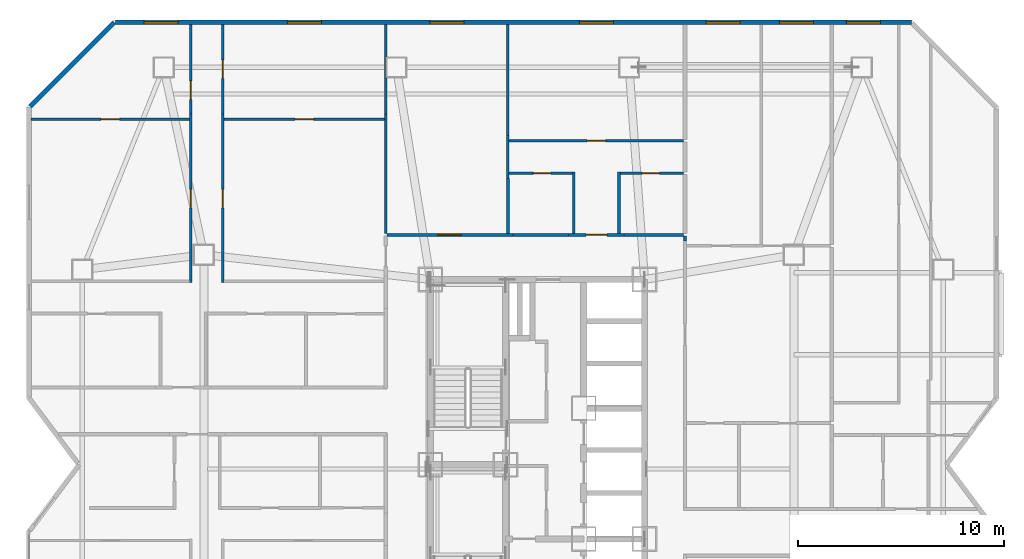
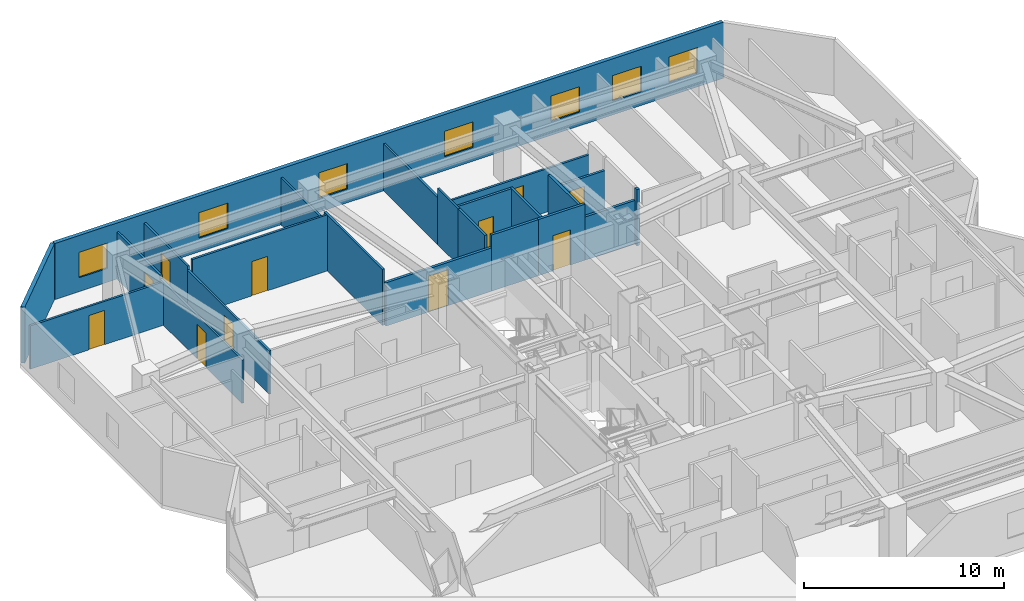
# One storey, part 15 of 17: 23 walls, 11 doors, 7 windows, 18 openings.
"""IFC4 building model written with IfcOpenShell, lengths in metres."""

from ifc_helpers import new_model, si_unit, direction, frame, frame_2d, origin, place, context, subcontext, project, spatial, rectangle, extrude, material, layer, layer_set, type_object, element, fill, save


model = new_model("IFC4")

# Units and contexts
model_context = context("Model", 3, precision=1e-05, world=origin(), true_north=direction((0.0, 1.0)))
body_context = subcontext(model_context, "Body", "Model", "MODEL_VIEW")
ifc_project = project(units=[si_unit("LENGTHUNIT", "METRE"), si_unit("AREAUNIT", "SQUARE_METRE"), si_unit("VOLUMEUNIT", "CUBIC_METRE"), si_unit("PLANEANGLEUNIT", "RADIAN"), si_unit("MASSUNIT", "GRAM", prefix="KILO")], contexts=[model_context])

# Site, building, storey
site_placement = place(None, origin())
site = spatial("IfcSite", under=ifc_project, at=site_placement, CompositionType="ELEMENT")
building_placement = place(site_placement, origin())
building = spatial("IfcBuilding", under=site, at=building_placement, Name="Khamvora Tower", CompositionType="ELEMENT")
storey_placement = place(building_placement, frame((0.0, 0.0, 131.10009765625)))
storey = spatial("IfcBuildingStorey", under=building, at=storey_placement, Name="L33", CompositionType="ELEMENT", Elevation=131.10009765625)

# Wall, opening, door
ifc_material_1 = material(Name="Fire-Rated Drywall and Steel Stud", Category="steel")
ifc_layer_1 = layer(ifc_material_1, 0.14990234375)
ifc_layer_set_1 = layer_set([ifc_layer_1], Name="Fire-Rated Drywall and Steel Stud")
wall_type_1 = type_object("IfcWallType", Name="WAL-CORR-150", PredefinedType="STANDARD", material=ifc_layer_set_1)
wall_1_placement = place(storey_placement, frame((26.89990234375, 39.1650390625, 0.0), z_axis=(0.0, 0.0, 1.0), x_axis=(1.0, 0.0, 0.0)))
wall_1 = element("IfcWall", 1, at=wall_1_placement, inside=storey, type_object=wall_type_1, Name="L33 interior partition wall 006", PredefinedType="STANDARD", context=body_context, shape_type="SweptSolid", body=[
    extrude(rectangle(XDim=6.114013671875, YDim=0.14990234375, at=frame_2d((3.05712890625, 0.0))), origin(), (0.0, 0.0, 1.0), 2.64697265625),
])
opening_1_placement = place(wall_1_placement, frame((2.4609375, 0.0, 0.0)))
opening_1 = element("IfcOpeningElement", 2, at=opening_1_placement, cuts=wall_1, Name="Opening D-SC1", PredefinedType="OPENING", context=body_context, shape_type="SweptSolid", body=[
    extrude(rectangle(XDim=1.14990234375, YDim=2.199951171875, at=frame_2d((0.574951171875, 1.10009765625))), frame((0.0, 0.0849609375, 0.0), z_axis=(0.0, -1.0, 0.0), x_axis=(1.0, 0.0, 0.0)), (0.0, 0.0, 1.0), 0.169921875),
])
ifc_material_2 = material(Name="Powder-Coated Steel and Hardwood Leaf", Category="steel")
door_type_1 = type_object("IfcDoorType", Name="DOR-SCHL-1150", OperationType="NOTDEFINED", PredefinedType="DOOR", material=ifc_material_2)
door_1_placement = place(opening_1_placement, origin())
door_1 = element("IfcDoor", 3, at=door_1_placement, inside=storey, type_object=door_type_1, Name="L33 interior door COR-FSTD", OperationType="SINGLE_SWING_RIGHT", OverallHeight=2.199951171875, OverallWidth=1.14990234375, PredefinedType="DOOR", context=body_context, shape_type="SweptSolid", body=[
    extrude(rectangle(XDim=1.14990234375, YDim=2.199951171875, at=frame_2d((0.574951171875, 1.10009765625))), frame((0.0, 0.02490234375, 0.0), z_axis=(0.0, -1.0, 0.0), x_axis=(1.0, 0.0, 0.0)), (0.0, 0.0, 1.0), 0.050048828125),
])
fill(opening_1, door_1)

wall_2_placement = place(storey_placement, frame((35.716064453125, 39.1650390625, 0.0), z_axis=(0.0, 0.0, 1.0), x_axis=(1.0, 0.0, 0.0)))
wall_2 = element("IfcWall", 4, at=wall_2_placement, inside=storey, type_object=wall_type_1, Name="L33 interior partition wall 025", PredefinedType="STANDARD", context=body_context, shape_type="SweptSolid", body=[
    extrude(rectangle(XDim=2.697998046875, YDim=0.14990234375, at=frame_2d((1.34912109375, 0.0))), origin(), (0.0, 0.0, 1.0), 3.429931640625),
])
opening_2_placement = place(wall_2_placement, frame((0.84912109375, 0.0, 0.0)))
opening_2 = element("IfcOpeningElement", 5, at=opening_2_placement, cuts=wall_2, Name="Opening D-U1", PredefinedType="OPENING", context=body_context, shape_type="SweptSolid", body=[
    extrude(rectangle(XDim=1.0, YDim=2.14990234375, at=frame_2d((0.5, 1.074951171875))), frame((0.0, 0.0849609375, 0.0), z_axis=(0.0, -1.0, 0.0), x_axis=(1.0, 0.0, 0.0)), (0.0, 0.0, 1.0), 0.169921875),
])
door_type_2 = type_object("IfcDoorType", Name="DOR-UNIT-1000", OperationType="NOTDEFINED", PredefinedType="DOOR", material=ifc_material_2)
door_2_placement = place(opening_2_placement, origin())
door_2 = element("IfcDoor", 6, at=door_2_placement, inside=storey, type_object=door_type_2, Name="L33 interior door COR-33NAH", OperationType="SINGLE_SWING_LEFT", OverallHeight=2.14990234375, OverallWidth=1.0, PredefinedType="DOOR", context=body_context, shape_type="SweptSolid", body=[
    extrude(rectangle(XDim=1.0, YDim=2.14990234375, at=frame_2d((0.5, 1.074951171875))), frame((0.0, 0.02490234375, 0.0), z_axis=(0.0, -1.0, 0.0), x_axis=(1.0, 0.0, 0.0)), (0.0, 0.0, 1.0), 0.050048828125),
])
fill(opening_2, door_2)

# Walls
wall_3_placement = place(storey_placement, frame((33.013916015625, 39.1650390625, 0.0), z_axis=(0.0, 0.0, 1.0), x_axis=(1.0, 0.0, 0.0)))
element("IfcWall", 7, at=wall_3_placement, inside=storey, type_object=wall_type_1, Name="L33 interior partition wall 026", PredefinedType="STANDARD", context=body_context, shape_type="SweptSolid", body=[
    extrude(rectangle(XDim=2.7021484375, YDim=0.14990234375, at=frame_2d((1.35107421875, 0.0))), origin(), (0.0, 0.0, 1.0), 3.429931640625),
])
wall_4_placement = place(storey_placement, frame((38.4140625, 39.1650390625, 0.0), z_axis=(0.0, 0.0, 1.0), x_axis=(1.0, 0.0, 0.0)))
element("IfcWall", 8, at=wall_4_placement, inside=storey, type_object=wall_type_1, Name="L33 interior partition wall 027", PredefinedType="STANDARD", context=body_context, shape_type="SweptSolid", body=[
    extrude(rectangle(XDim=2.885986328125, YDim=0.14990234375, at=frame_2d((1.44287109375, 0.0))), origin(), (0.0, 0.0, 1.0), 2.64697265625),
])
wall_5_placement = place(storey_placement, frame((41.364990234375, 39.10009765625, 0.0), z_axis=(0.0, 0.0, 1.0), x_axis=(0.0, -1.0, 0.0)))
element("IfcWall", 9, at=wall_5_placement, inside=storey, type_object=wall_type_1, Name="L33 interior partition wall 038", PredefinedType="STANDARD", context=body_context, shape_type="SweptSolid", body=[
    extrude(rectangle(XDim=0.22119140625, YDim=0.14990234375, at=frame_2d((0.110595703125, 0.0))), origin(), (0.0, 0.0, 1.0), 3.429931640625),
])
ifc_material_3 = material(Name="Precast concrete C40/50", Category="concrete")
ifc_layer_2 = layer(ifc_material_3, 0.219970703125)
ifc_layer_set_2 = layer_set([ifc_layer_2], Name="Precast concrete C40/50")
wall_type_2 = type_object("IfcWallType", Name="WAL-EXT-220", PredefinedType="STANDARD", material=ifc_layer_set_2)
wall_6_placement = place(storey_placement, frame((9.55810546875, 45.402099609375, 0.0), z_axis=(0.0, 0.0, 1.0), x_axis=(0.707106781187, 0.707106781187, 0.0)))
element("IfcWall", 10, at=wall_6_placement, inside=storey, type_object=wall_type_2, Name="L33 exterior facade wall 06.1", PredefinedType="STANDARD", context=body_context, shape_type="SweptSolid", body=[
    extrude(rectangle(XDim=5.78125, YDim=0.219970703125, at=frame_2d((2.890625, 0.0))), origin(), (0.0, 0.0, 1.0), 3.429931640625),
])

# Wall, openings, windows
wall_7_placement = place(storey_placement, frame((13.715087890625, 49.489990234375, 0.0), z_axis=(0.0, 0.0, 1.0), x_axis=(1.0, 0.0, 0.0)))
wall_7 = element("IfcWall", 11, at=wall_7_placement, inside=storey, type_object=wall_type_2, Name="L33 exterior facade wall 07.1", PredefinedType="STANDARD", context=body_context, shape_type="SweptSolid", body=[
    extrude(rectangle(XDim=38.638916015625, YDim=0.219970703125, at=frame_2d((19.3193359375, 0.0))), origin(), (0.0, 0.0, 1.0), 3.429931640625),
])
opening_3_placement = place(wall_7_placement, frame((15.260009765625, 0.0, 0.85009765625)))
opening_3 = element("IfcOpeningElement", 12, at=opening_3_placement, cuts=wall_7, Name="Opening WN-06", PredefinedType="OPENING", context=body_context, shape_type="SweptSolid", body=[
    extrude(rectangle(XDim=1.64990234375, YDim=1.550048828125, at=frame_2d((0.824951171875, 0.77490234375))), frame((0.0, 0.119873046875, 0.0), z_axis=(0.0, -1.0, 0.0), x_axis=(1.0, 0.0, 0.0)), (0.0, 0.0, 1.0), 0.239990234375),
])
opening_4_placement = place(wall_7_placement, frame((1.387939453125, 0.0, 0.85009765625)))
opening_4 = element("IfcOpeningElement", 13, at=opening_4_placement, cuts=wall_7, Name="Opening WN-06", PredefinedType="OPENING", context=body_context, shape_type="SweptSolid", body=[
    extrude(rectangle(XDim=1.64990234375, YDim=1.550048828125, at=frame_2d((0.824951171875, 0.77490234375))), frame((0.0, 0.119873046875, 0.0), z_axis=(0.0, -1.0, 0.0), x_axis=(1.0, 0.0, 0.0)), (0.0, 0.0, 1.0), 0.239990234375),
])
opening_5_placement = place(wall_7_placement, frame((8.340087890625, 0.0, 0.85009765625)))
opening_5 = element("IfcOpeningElement", 14, at=opening_5_placement, cuts=wall_7, Name="Opening WN-06", PredefinedType="OPENING", context=body_context, shape_type="SweptSolid", body=[
    extrude(rectangle(XDim=1.64990234375, YDim=1.550048828125, at=frame_2d((0.824951171875, 0.77490234375))), frame((0.0, 0.119873046875, 0.0), z_axis=(0.0, -1.0, 0.0), x_axis=(1.0, 0.0, 0.0)), (0.0, 0.0, 1.0), 0.239990234375),
])
opening_6_placement = place(wall_7_placement, frame((22.52490234375, 0.0, 0.85009765625)))
opening_6 = element("IfcOpeningElement", 15, at=opening_6_placement, cuts=wall_7, Name="Opening WN-06", PredefinedType="OPENING", context=body_context, shape_type="SweptSolid", body=[
    extrude(rectangle(XDim=1.64990234375, YDim=1.550048828125, at=frame_2d((0.824951171875, 0.77490234375))), frame((0.0, 0.119873046875, 0.0), z_axis=(0.0, -1.0, 0.0), x_axis=(1.0, 0.0, 0.0)), (0.0, 0.0, 1.0), 0.239990234375),
])
opening_7_placement = place(wall_7_placement, frame((32.239013671875, 0.0, 0.85009765625)))
opening_7 = element("IfcOpeningElement", 16, at=opening_7_placement, cuts=wall_7, Name="Opening WN-06", PredefinedType="OPENING", context=body_context, shape_type="SweptSolid", body=[
    extrude(rectangle(XDim=1.64990234375, YDim=1.550048828125, at=frame_2d((0.824951171875, 0.77490234375))), frame((0.0, 0.119873046875, 0.0), z_axis=(0.0, -1.0, 0.0), x_axis=(1.0, 0.0, 0.0)), (0.0, 0.0, 1.0), 0.239990234375),
])
opening_8_placement = place(wall_7_placement, frame((28.676025390625, 0.0, 0.85009765625)))
opening_8 = element("IfcOpeningElement", 17, at=opening_8_placement, cuts=wall_7, Name="Opening WN-06", PredefinedType="OPENING", context=body_context, shape_type="SweptSolid", body=[
    extrude(rectangle(XDim=1.64990234375, YDim=1.550048828125, at=frame_2d((0.824951171875, 0.77490234375))), frame((0.0, 0.119873046875, 0.0), z_axis=(0.0, -1.0, 0.0), x_axis=(1.0, 0.0, 0.0)), (0.0, 0.0, 1.0), 0.239990234375),
])
opening_9_placement = place(wall_7_placement, frame((35.489013671875, 0.0, 0.85009765625)))
opening_9 = element("IfcOpeningElement", 18, at=opening_9_placement, cuts=wall_7, Name="Opening WN-06", PredefinedType="OPENING", context=body_context, shape_type="SweptSolid", body=[
    extrude(rectangle(XDim=1.64990234375, YDim=1.550048828125, at=frame_2d((0.824951171875, 0.77490234375))), frame((0.0, 0.119873046875, 0.0), z_axis=(0.0, -1.0, 0.0), x_axis=(1.0, 0.0, 0.0)), (0.0, 0.0, 1.0), 0.239990234375),
])
ifc_material_4 = material(Name="Low-E Laminated Double Glazing", Category="glass")
window_type = type_object("IfcWindowType", Name="WIN-VIS-1650x1550", PartitioningType="SINGLE_PANEL", PredefinedType="WINDOW", material=ifc_material_4)
window_1_placement = place(opening_3_placement, origin())
window_1 = element("IfcWindow", 19, at=window_1_placement, inside=storey, type_object=window_type, Name="L33 vision window 07.1.01", OverallHeight=1.550048828125, OverallWidth=1.64990234375, PartitioningType="SINGLE_PANEL", PredefinedType="WINDOW", context=body_context, shape_type="SweptSolid", body=[
    extrude(rectangle(XDim=1.64990234375, YDim=1.550048828125, at=frame_2d((0.824951171875, 0.77490234375))), frame((0.0, 0.030029296875, 0.0), z_axis=(0.0, -1.0, 0.0), x_axis=(1.0, 0.0, 0.0)), (0.0, 0.0, 1.0), 0.06005859375),
])
fill(opening_3, window_1)
window_2_placement = place(opening_4_placement, origin())
window_2 = element("IfcWindow", 20, at=window_2_placement, inside=storey, type_object=window_type, Name="L33 vision window 07.1.02", OverallHeight=1.550048828125, OverallWidth=1.64990234375, PartitioningType="SINGLE_PANEL", PredefinedType="WINDOW", context=body_context, shape_type="SweptSolid", body=[
    extrude(rectangle(XDim=1.64990234375, YDim=1.550048828125, at=frame_2d((0.824951171875, 0.77490234375))), frame((0.0, 0.030029296875, 0.0), z_axis=(0.0, -1.0, 0.0), x_axis=(1.0, 0.0, 0.0)), (0.0, 0.0, 1.0), 0.06005859375),
])
fill(opening_4, window_2)
window_3_placement = place(opening_5_placement, origin())
window_3 = element("IfcWindow", 21, at=window_3_placement, inside=storey, type_object=window_type, Name="L33 vision window 07.1.03", OverallHeight=1.550048828125, OverallWidth=1.64990234375, PartitioningType="SINGLE_PANEL", PredefinedType="WINDOW", context=body_context, shape_type="SweptSolid", body=[
    extrude(rectangle(XDim=1.64990234375, YDim=1.550048828125, at=frame_2d((0.824951171875, 0.77490234375))), frame((0.0, 0.030029296875, 0.0), z_axis=(0.0, -1.0, 0.0), x_axis=(1.0, 0.0, 0.0)), (0.0, 0.0, 1.0), 0.06005859375),
])
fill(opening_5, window_3)
window_4_placement = place(opening_6_placement, origin())
window_4 = element("IfcWindow", 22, at=window_4_placement, inside=storey, type_object=window_type, Name="L33 vision window 07.1.04", OverallHeight=1.550048828125, OverallWidth=1.64990234375, PartitioningType="SINGLE_PANEL", PredefinedType="WINDOW", context=body_context, shape_type="SweptSolid", body=[
    extrude(rectangle(XDim=1.64990234375, YDim=1.550048828125, at=frame_2d((0.824951171875, 0.77490234375))), frame((0.0, 0.030029296875, 0.0), z_axis=(0.0, -1.0, 0.0), x_axis=(1.0, 0.0, 0.0)), (0.0, 0.0, 1.0), 0.06005859375),
])
fill(opening_6, window_4)
window_5_placement = place(opening_7_placement, origin())
window_5 = element("IfcWindow", 23, at=window_5_placement, inside=storey, type_object=window_type, Name="L33 vision window 07.1.05", OverallHeight=1.550048828125, OverallWidth=1.64990234375, PartitioningType="SINGLE_PANEL", PredefinedType="WINDOW", context=body_context, shape_type="SweptSolid", body=[
    extrude(rectangle(XDim=1.64990234375, YDim=1.550048828125, at=frame_2d((0.824951171875, 0.77490234375))), frame((0.0, 0.030029296875, 0.0), z_axis=(0.0, -1.0, 0.0), x_axis=(1.0, 0.0, 0.0)), (0.0, 0.0, 1.0), 0.06005859375),
])
fill(opening_7, window_5)
window_6_placement = place(opening_8_placement, origin())
window_6 = element("IfcWindow", 24, at=window_6_placement, inside=storey, type_object=window_type, Name="L33 vision window 07.1.06", OverallHeight=1.550048828125, OverallWidth=1.64990234375, PartitioningType="SINGLE_PANEL", PredefinedType="WINDOW", context=body_context, shape_type="SweptSolid", body=[
    extrude(rectangle(XDim=1.64990234375, YDim=1.550048828125, at=frame_2d((0.824951171875, 0.77490234375))), frame((0.0, 0.030029296875, 0.0), z_axis=(0.0, -1.0, 0.0), x_axis=(1.0, 0.0, 0.0)), (0.0, 0.0, 1.0), 0.06005859375),
])
fill(opening_8, window_6)
window_7_placement = place(opening_9_placement, origin())
window_7 = element("IfcWindow", 25, at=window_7_placement, inside=storey, type_object=window_type, Name="L33 vision window 07.1.07", OverallHeight=1.550048828125, OverallWidth=1.64990234375, PartitioningType="SINGLE_PANEL", PredefinedType="WINDOW", context=body_context, shape_type="SweptSolid", body=[
    extrude(rectangle(XDim=1.64990234375, YDim=1.550048828125, at=frame_2d((0.824951171875, 0.77490234375))), frame((0.0, 0.030029296875, 0.0), z_axis=(0.0, -1.0, 0.0), x_axis=(1.0, 0.0, 0.0)), (0.0, 0.0, 1.0), 0.06005859375),
])
fill(opening_9, window_7)

# Walls
ifc_material_5 = material(Name="Gypsum Plasterboard Partition", Category="gypsum")
ifc_layer_3 = layer(ifc_material_5, 0.1201171875)
ifc_layer_set_3 = layer_set([ifc_layer_3], Name="Gypsum Plasterboard Partition")
wall_type_3 = type_object("IfcWallType", Name="WAL-PART-120", PredefinedType="PARTITIONING", material=ifc_layer_set_3)
wall_8_placement = place(storey_placement, frame((26.8349609375, 39.22998046875, 0.0), z_axis=(0.0, 0.0, 1.0), x_axis=(0.0, 1.0, 0.0)))
element("IfcWall", 26, at=wall_8_placement, inside=storey, type_object=wall_type_3, Name="L33 interior partition wall 041", PredefinedType="PARTITIONING", context=body_context, shape_type="SweptSolid", body=[
    extrude(rectangle(XDim=5.81005859375, YDim=0.1201171875, at=frame_2d((2.905029296875, 0.0))), origin(), (0.0, 0.0, 1.0), 3.429931640625),
])
wall_9_placement = place(storey_placement, frame((26.8349609375, 45.0400390625, 0.0), z_axis=(0.0, 0.0, 1.0), x_axis=(0.0, 1.0, 0.0)))
element("IfcWall", 27, at=wall_9_placement, inside=storey, type_object=wall_type_3, Name="L33 interior partition wall 042", PredefinedType="PARTITIONING", context=body_context, shape_type="SweptSolid", body=[
    extrude(rectangle(XDim=4.347900390625, YDim=0.1201171875, at=frame_2d((2.173828125, 0.0))), origin(), (0.0, 0.0, 1.0), 2.8759765625),
])
wall_10_placement = place(storey_placement, frame((32.764892578125, 43.990966796875, 0.0), z_axis=(0.0, 0.0, 1.0), x_axis=(0.0, -1.0, 0.0)))
element("IfcWall", 28, at=wall_10_placement, inside=storey, type_object=wall_type_3, Name="L33 interior partition wall 043", PredefinedType="PARTITIONING", context=body_context, shape_type="SweptSolid", body=[
    extrude(rectangle(XDim=2.077880859375, YDim=0.1201171875, at=frame_2d((1.0390625, 0.0))), origin(), (0.0, 0.0, 1.0), 3.429931640625),
])
wall_11_placement = place(storey_placement, frame((32.764892578125, 49.387939453125, 0.0), z_axis=(0.0, 0.0, 1.0), x_axis=(0.0, -1.0, 0.0)))
element("IfcWall", 29, at=wall_11_placement, inside=storey, type_object=wall_type_3, Name="L33 interior partition wall 045", PredefinedType="PARTITIONING", context=body_context, shape_type="SweptSolid", body=[
    extrude(rectangle(XDim=5.39697265625, YDim=0.1201171875, at=frame_2d((2.698486328125, 0.0))), origin(), (0.0, 0.0, 1.0), 2.8759765625),
])

# Wall, opening, door
wall_12_placement = place(storey_placement, frame((17.35498046875, 36.860107421875, 0.0), z_axis=(0.0, 0.0, 1.0), x_axis=(0.0, 1.0, 0.0)))
wall_12 = element("IfcWall", 30, at=wall_12_placement, inside=storey, type_object=wall_type_3, Name="L33 interior partition wall 075", PredefinedType="PARTITIONING", context=body_context, shape_type="SweptSolid", body=[
    extrude(rectangle(XDim=8.179931640625, YDim=0.1201171875, at=frame_2d((4.08984375, 0.0))), origin(), (0.0, 0.0, 1.0), 2.64697265625),
])
opening_10_placement = place(wall_12_placement, frame((3.618896484375, 0.0, 0.0)))
opening_10 = element("IfcOpeningElement", 31, at=opening_10_placement, cuts=wall_12, Name="Opening D-RM1", PredefinedType="OPENING", context=body_context, shape_type="SweptSolid", body=[
    extrude(rectangle(XDim=0.89990234375, YDim=2.10009765625, at=frame_2d((0.449951171875, 1.050048828125))), frame((0.0, 0.070068359375, 0.0), z_axis=(0.0, -1.0, 0.0), x_axis=(1.0, 0.0, 0.0)), (0.0, 0.0, 1.0), 0.14013671875),
])
door_type_3 = type_object("IfcDoorType", Name="DOR-ROOM-900", OperationType="NOTDEFINED", PredefinedType="DOOR", material=ifc_material_2)
door_3_placement = place(opening_10_placement, origin())
door_3 = element("IfcDoor", 32, at=door_3_placement, inside=storey, type_object=door_type_3, Name="L33 interior door 33WBH-33WBR1", OperationType="SINGLE_SWING_LEFT", OverallHeight=2.10009765625, OverallWidth=0.89990234375, PredefinedType="DOOR", context=body_context, shape_type="SweptSolid", body=[
    extrude(rectangle(XDim=0.89990234375, YDim=2.10009765625, at=frame_2d((0.449951171875, 1.050048828125))), frame((0.0, 0.02490234375, 0.0), z_axis=(0.0, -1.0, 0.0), x_axis=(1.0, 0.0, 0.0)), (0.0, 0.0, 1.0), 0.050048828125),
])
fill(opening_10, door_3)

wall_13_placement = place(storey_placement, frame((17.35498046875, 45.0400390625, 0.0), z_axis=(0.0, 0.0, 1.0), x_axis=(0.0, 1.0, 0.0)))
wall_13 = element("IfcWall", 33, at=wall_13_placement, inside=storey, type_object=wall_type_3, Name="L33 interior partition wall 076", PredefinedType="PARTITIONING", context=body_context, shape_type="SweptSolid", body=[
    extrude(rectangle(XDim=4.347900390625, YDim=0.1201171875, at=frame_2d((2.173828125, 0.0))), origin(), (0.0, 0.0, 1.0), 2.8759765625),
])
opening_11_placement = place(wall_13_placement, frame((0.702880859375, 0.0, 0.0)))
opening_11 = element("IfcOpeningElement", 34, at=opening_11_placement, cuts=wall_13, Name="Opening D-RM1", PredefinedType="OPENING", context=body_context, shape_type="SweptSolid", body=[
    extrude(rectangle(XDim=0.89990234375, YDim=2.10009765625, at=frame_2d((0.449951171875, 1.050048828125))), frame((0.0, 0.070068359375, 0.0), z_axis=(0.0, -1.0, 0.0), x_axis=(1.0, 0.0, 0.0)), (0.0, 0.0, 1.0), 0.14013671875),
])
door_4_placement = place(opening_11_placement, origin())
door_4 = element("IfcDoor", 35, at=door_4_placement, inside=storey, type_object=door_type_3, Name="L33 interior door 33WBH-33WBR2", OperationType="SINGLE_SWING_LEFT", OverallHeight=2.10009765625, OverallWidth=0.89990234375, PredefinedType="DOOR", context=body_context, shape_type="SweptSolid", body=[
    extrude(rectangle(XDim=0.89990234375, YDim=2.10009765625, at=frame_2d((0.449951171875, 1.050048828125))), frame((0.0, 0.02490234375, 0.0), z_axis=(0.0, -1.0, 0.0), x_axis=(1.0, 0.0, 0.0)), (0.0, 0.0, 1.0), 0.050048828125),
])
fill(opening_11, door_4)

wall_14_placement = place(storey_placement, frame((18.925048828125, 45.0400390625, 0.0), z_axis=(0.0, 0.0, 1.0), x_axis=(0.0, -1.0, 0.0)))
wall_14 = element("IfcWall", 36, at=wall_14_placement, inside=storey, type_object=wall_type_3, Name="L33 interior partition wall 077", PredefinedType="PARTITIONING", context=body_context, shape_type="SweptSolid", body=[
    extrude(rectangle(XDim=8.179931640625, YDim=0.1201171875, at=frame_2d((4.08984375, 0.0))), origin(), (0.0, 0.0, 1.0), 2.64697265625),
])
opening_12_placement = place(wall_14_placement, frame((3.660888671875, 0.0, 0.0)))
opening_12 = element("IfcOpeningElement", 37, at=opening_12_placement, cuts=wall_14, Name="Opening D-RM1", PredefinedType="OPENING", context=body_context, shape_type="SweptSolid", body=[
    extrude(rectangle(XDim=0.89990234375, YDim=2.10009765625, at=frame_2d((0.449951171875, 1.050048828125))), frame((0.0, 0.070068359375, 0.0), z_axis=(0.0, -1.0, 0.0), x_axis=(1.0, 0.0, 0.0)), (0.0, 0.0, 1.0), 0.14013671875),
])
door_5_placement = place(opening_12_placement, origin())
door_5 = element("IfcDoor", 38, at=door_5_placement, inside=storey, type_object=door_type_3, Name="L33 interior door 33WBH-33WBR3", OperationType="SINGLE_SWING_RIGHT", OverallHeight=2.10009765625, OverallWidth=0.89990234375, PredefinedType="DOOR", context=body_context, shape_type="SweptSolid", body=[
    extrude(rectangle(XDim=0.89990234375, YDim=2.10009765625, at=frame_2d((0.449951171875, 1.050048828125))), frame((0.0, 0.02490234375, 0.0), z_axis=(0.0, -1.0, 0.0), x_axis=(1.0, 0.0, 0.0)), (0.0, 0.0, 1.0), 0.050048828125),
])
fill(opening_12, door_5)

wall_15_placement = place(storey_placement, frame((18.925048828125, 49.387939453125, 0.0), z_axis=(0.0, 0.0, 1.0), x_axis=(0.0, -1.0, 0.0)))
wall_15 = element("IfcWall", 39, at=wall_15_placement, inside=storey, type_object=wall_type_3, Name="L33 interior partition wall 079", PredefinedType="PARTITIONING", context=body_context, shape_type="SweptSolid", body=[
    extrude(rectangle(XDim=4.347900390625, YDim=0.1201171875, at=frame_2d((2.173828125, 0.0))), origin(), (0.0, 0.0, 1.0), 2.8759765625),
])
opening_13_placement = place(wall_15_placement, frame((1.72412109375, 0.0, 0.0)))
opening_13 = element("IfcOpeningElement", 40, at=opening_13_placement, cuts=wall_15, Name="Opening D-RM1", PredefinedType="OPENING", context=body_context, shape_type="SweptSolid", body=[
    extrude(rectangle(XDim=0.89990234375, YDim=2.10009765625, at=frame_2d((0.449951171875, 1.050048828125))), frame((0.0, 0.070068359375, 0.0), z_axis=(0.0, -1.0, 0.0), x_axis=(1.0, 0.0, 0.0)), (0.0, 0.0, 1.0), 0.14013671875),
])
door_6_placement = place(opening_13_placement, origin())
door_6 = element("IfcDoor", 41, at=door_6_placement, inside=storey, type_object=door_type_3, Name="L33 interior door 33WBH-33WBR4", OperationType="SINGLE_SWING_LEFT", OverallHeight=2.10009765625, OverallWidth=0.89990234375, PredefinedType="DOOR", context=body_context, shape_type="SweptSolid", body=[
    extrude(rectangle(XDim=0.89990234375, YDim=2.10009765625, at=frame_2d((0.449951171875, 1.050048828125))), frame((0.0, 0.02490234375, 0.0), z_axis=(0.0, -1.0, 0.0), x_axis=(1.0, 0.0, 0.0)), (0.0, 0.0, 1.0), 0.050048828125),
])
fill(opening_13, door_6)

wall_16_placement = place(storey_placement, frame((9.612060546875, 44.791015625, 0.0), z_axis=(0.0, 0.0, 1.0), x_axis=(1.0, 0.0, 0.0)))
wall_16 = element("IfcWall", 42, at=wall_16_placement, inside=storey, type_object=wall_type_3, Name="L33 interior partition wall 080", PredefinedType="PARTITIONING", context=body_context, shape_type="SweptSolid", body=[
    extrude(rectangle(XDim=7.68896484375, YDim=0.1201171875, at=frame_2d((3.844482421875, 0.0))), origin(), (0.0, 0.0, 1.0), 2.64697265625),
])
opening_14_placement = place(wall_16_placement, frame((3.39404296875, 0.0, 0.0)))
opening_14 = element("IfcOpeningElement", 43, at=opening_14_placement, cuts=wall_16, Name="Opening D-RM1", PredefinedType="OPENING", context=body_context, shape_type="SweptSolid", body=[
    extrude(rectangle(XDim=0.89990234375, YDim=2.10009765625, at=frame_2d((0.449951171875, 1.050048828125))), frame((0.0, 0.070068359375, 0.0), z_axis=(0.0, -1.0, 0.0), x_axis=(1.0, 0.0, 0.0)), (0.0, 0.0, 1.0), 0.14013671875),
])
door_7_placement = place(opening_14_placement, origin())
door_7 = element("IfcDoor", 44, at=door_7_placement, inside=storey, type_object=door_type_3, Name="L33 interior door 33WBR1-33WBR2", OperationType="SINGLE_SWING_RIGHT", OverallHeight=2.10009765625, OverallWidth=0.89990234375, PredefinedType="DOOR", context=body_context, shape_type="SweptSolid", body=[
    extrude(rectangle(XDim=0.89990234375, YDim=2.10009765625, at=frame_2d((0.449951171875, 1.050048828125))), frame((0.0, 0.02490234375, 0.0), z_axis=(0.0, -1.0, 0.0), x_axis=(1.0, 0.0, 0.0)), (0.0, 0.0, 1.0), 0.050048828125),
])
fill(opening_14, door_7)

wall_17_placement = place(storey_placement, frame((18.97900390625, 44.791015625, 0.0), z_axis=(0.0, 0.0, 1.0), x_axis=(1.0, 0.0, 0.0)))
wall_17 = element("IfcWall", 45, at=wall_17_placement, inside=storey, type_object=wall_type_3, Name="L33 interior partition wall 081", PredefinedType="PARTITIONING", context=body_context, shape_type="SweptSolid", body=[
    extrude(rectangle(XDim=7.802001953125, YDim=0.1201171875, at=frame_2d((3.90087890625, 0.0))), origin(), (0.0, 0.0, 1.0), 3.429931640625),
])
opening_15_placement = place(wall_17_placement, frame((3.450927734375, 0.0, 0.0)))
opening_15 = element("IfcOpeningElement", 46, at=opening_15_placement, cuts=wall_17, Name="Opening D-RM1", PredefinedType="OPENING", context=body_context, shape_type="SweptSolid", body=[
    extrude(rectangle(XDim=0.89990234375, YDim=2.10009765625, at=frame_2d((0.449951171875, 1.050048828125))), frame((0.0, 0.070068359375, 0.0), z_axis=(0.0, -1.0, 0.0), x_axis=(1.0, 0.0, 0.0)), (0.0, 0.0, 1.0), 0.14013671875),
])
door_8_placement = place(opening_15_placement, origin())
door_8 = element("IfcDoor", 47, at=door_8_placement, inside=storey, type_object=door_type_3, Name="L33 interior door 33WBR3-33WBR4", OperationType="SINGLE_SWING_LEFT", OverallHeight=2.10009765625, OverallWidth=0.89990234375, PredefinedType="DOOR", context=body_context, shape_type="SweptSolid", body=[
    extrude(rectangle(XDim=0.89990234375, YDim=2.10009765625, at=frame_2d((0.449951171875, 1.050048828125))), frame((0.0, 0.02490234375, 0.0), z_axis=(0.0, -1.0, 0.0), x_axis=(1.0, 0.0, 0.0)), (0.0, 0.0, 1.0), 0.050048828125),
])
fill(opening_15, door_8)

wall_18_placement = place(storey_placement, frame((32.819091796875, 43.741943359375, 0.0), z_axis=(0.0, 0.0, 1.0), x_axis=(1.0, 0.0, 0.0)))
wall_18 = element("IfcWall", 48, at=wall_18_placement, inside=storey, type_object=wall_type_3, Name="L33 interior partition wall 097", PredefinedType="PARTITIONING", context=body_context, shape_type="SweptSolid", body=[
    extrude(rectangle(XDim=8.48095703125, YDim=0.1201171875, at=frame_2d((4.240478515625, 0.0))), origin(), (0.0, 0.0, 1.0), 2.64697265625),
])
opening_16_placement = place(wall_18_placement, frame((3.7900390625, 0.0, 0.0)))
opening_16 = element("IfcOpeningElement", 49, at=opening_16_placement, cuts=wall_18, Name="Opening D-RM1", PredefinedType="OPENING", context=body_context, shape_type="SweptSolid", body=[
    extrude(rectangle(XDim=0.89990234375, YDim=2.10009765625, at=frame_2d((0.449951171875, 1.050048828125))), frame((0.0, 0.070068359375, 0.0), z_axis=(0.0, -1.0, 0.0), x_axis=(1.0, 0.0, 0.0)), (0.0, 0.0, 1.0), 0.14013671875),
])
door_9_placement = place(opening_16_placement, origin())
door_9 = element("IfcDoor", 50, at=door_9_placement, inside=storey, type_object=door_type_3, Name="L33 interior door 33NAH-33NAR1", OperationType="SINGLE_SWING_RIGHT", OverallHeight=2.10009765625, OverallWidth=0.89990234375, PredefinedType="DOOR", context=body_context, shape_type="SweptSolid", body=[
    extrude(rectangle(XDim=0.89990234375, YDim=2.10009765625, at=frame_2d((0.449951171875, 1.050048828125))), frame((0.0, 0.02490234375, 0.0), z_axis=(0.0, -1.0, 0.0), x_axis=(1.0, 0.0, 0.0)), (0.0, 0.0, 1.0), 0.050048828125),
])
fill(opening_16, door_9)

# Walls
ifc_material_6 = material(Name="Moisture-Resistant Plasterboard Partition", Category="gypsum")
ifc_layer_4 = layer(ifc_material_6, 0.135009765625)
ifc_layer_set_4 = layer_set([ifc_layer_4], Name="Moisture-Resistant Plasterboard Partition")
wall_type_4 = type_object("IfcWallType", Name="WAL-WET-135", PredefinedType="PARTITIONING", material=ifc_layer_set_4)
wall_19_placement = place(storey_placement, frame((32.764892578125, 41.9130859375, 0.0), z_axis=(0.0, 0.0, 1.0), x_axis=(0.0, -1.0, 0.0)))
element("IfcWall", 51, at=wall_19_placement, inside=storey, type_object=wall_type_4, Name="L33 interior partition wall 044", PredefinedType="PARTITIONING", context=body_context, shape_type="SweptSolid", body=[
    extrude(rectangle(XDim=2.68115234375, YDim=0.135009765625, at=frame_2d((1.340576171875, 0.0))), origin(), (0.0, 0.0, 1.0), 3.429931640625),
])
wall_20_placement = place(storey_placement, frame((35.965087890625, 39.23193359375, 0.0), z_axis=(0.0, 0.0, 1.0), x_axis=(0.0, 1.0, 0.0)))
element("IfcWall", 52, at=wall_20_placement, inside=storey, type_object=wall_type_4, Name="L33 interior partition wall 093", PredefinedType="PARTITIONING", context=body_context, shape_type="SweptSolid", body=[
    extrude(rectangle(XDim=2.9951171875, YDim=0.135009765625, at=frame_2d((1.49755859375, 0.0))), origin(), (0.0, 0.0, 1.0), 3.429931640625),
])

# Wall, opening, door
wall_21_placement = place(storey_placement, frame((36.030029296875, 42.162109375, 0.0), z_axis=(0.0, 0.0, 1.0), x_axis=(-1.0, 0.0, 0.0)))
wall_21 = element("IfcWall", 53, at=wall_21_placement, inside=storey, type_object=wall_type_4, Name="L33 interior partition wall 094", PredefinedType="PARTITIONING", context=body_context, shape_type="SweptSolid", body=[
    extrude(rectangle(XDim=3.2109375, YDim=0.135009765625, at=frame_2d((1.60546875, 0.0))), origin(), (0.0, 0.0, 1.0), 3.429931640625),
])
opening_17_placement = place(wall_21_placement, frame((1.179931640625, 0.0, 0.0)))
opening_17 = element("IfcOpeningElement", 54, at=opening_17_placement, cuts=wall_21, Name="Opening D-WC1", PredefinedType="OPENING", context=body_context, shape_type="SweptSolid", body=[
    extrude(rectangle(XDim=0.85009765625, YDim=2.10009765625, at=frame_2d((0.425048828125, 1.050048828125))), frame((0.0, 0.077392578125, 0.0), z_axis=(0.0, -1.0, 0.0), x_axis=(1.0, 0.0, 0.0)), (0.0, 0.0, 1.0), 0.155029296875),
])
door_type_4 = type_object("IfcDoorType", Name="DOR-WET-850", OperationType="NOTDEFINED", PredefinedType="DOOR", material=ifc_material_2)
door_10_placement = place(opening_17_placement, origin())
door_10 = element("IfcDoor", 55, at=door_10_placement, inside=storey, type_object=door_type_4, Name="L33 interior door 33NAH-33NAB", OperationType="SINGLE_SWING_RIGHT", OverallHeight=2.10009765625, OverallWidth=0.85009765625, PredefinedType="DOOR", context=body_context, shape_type="SweptSolid", body=[
    extrude(rectangle(XDim=0.85009765625, YDim=2.10009765625, at=frame_2d((0.425048828125, 1.050048828125))), frame((0.0, 0.02490234375, 0.0), z_axis=(0.0, -1.0, 0.0), x_axis=(1.0, 0.0, 0.0)), (0.0, 0.0, 1.0), 0.050048828125),
])
fill(opening_17, door_10)

wall_22_placement = place(storey_placement, frame((41.300048828125, 42.162109375, 0.0), z_axis=(0.0, 0.0, 1.0), x_axis=(-1.0, 0.0, 0.0)))
wall_22 = element("IfcWall", 56, at=wall_22_placement, inside=storey, type_object=wall_type_4, Name="L33 interior partition wall 095", PredefinedType="PARTITIONING", context=body_context, shape_type="SweptSolid", body=[
    extrude(rectangle(XDim=3.199951171875, YDim=0.135009765625, at=frame_2d((1.60009765625, 0.0))), origin(), (0.0, 0.0, 1.0), 2.64697265625),
])
opening_18_placement = place(wall_22_placement, frame((1.175048828125, 0.0, 0.0)))
opening_18 = element("IfcOpeningElement", 57, at=opening_18_placement, cuts=wall_22, Name="Opening D-RM2", PredefinedType="OPENING", context=body_context, shape_type="SweptSolid", body=[
    extrude(rectangle(XDim=0.85009765625, YDim=2.10009765625, at=frame_2d((0.425048828125, 1.050048828125))), frame((0.0, 0.077392578125, 0.0), z_axis=(0.0, -1.0, 0.0), x_axis=(1.0, 0.0, 0.0)), (0.0, 0.0, 1.0), 0.155029296875),
])
door_type_5 = type_object("IfcDoorType", Name="DOR-ROOM-850", OperationType="NOTDEFINED", PredefinedType="DOOR", material=ifc_material_2)
door_11_placement = place(opening_18_placement, origin())
door_11 = element("IfcDoor", 58, at=door_11_placement, inside=storey, type_object=door_type_5, Name="L33 interior door 33NAH-33NAK", OperationType="SINGLE_SWING_LEFT", OverallHeight=2.10009765625, OverallWidth=0.85009765625, PredefinedType="DOOR", context=body_context, shape_type="SweptSolid", body=[
    extrude(rectangle(XDim=0.85009765625, YDim=2.10009765625, at=frame_2d((0.425048828125, 1.050048828125))), frame((0.0, 0.02490234375, 0.0), z_axis=(0.0, -1.0, 0.0), x_axis=(1.0, 0.0, 0.0)), (0.0, 0.0, 1.0), 0.050048828125),
])
fill(opening_18, door_11)

# Wall
wall_23_placement = place(storey_placement, frame((38.1650390625, 42.22705078125, 0.0), z_axis=(0.0, 0.0, 1.0), x_axis=(0.0, -1.0, 0.0)))
element("IfcWall", 59, at=wall_23_placement, inside=storey, type_object=wall_type_4, Name="L33 interior partition wall 096", PredefinedType="PARTITIONING", context=body_context, shape_type="SweptSolid", body=[
    extrude(rectangle(XDim=2.9951171875, YDim=0.135009765625, at=frame_2d((1.49755859375, 0.0))), origin(), (0.0, 0.0, 1.0), 3.429931640625),
])

save(model, "model.ifc")
